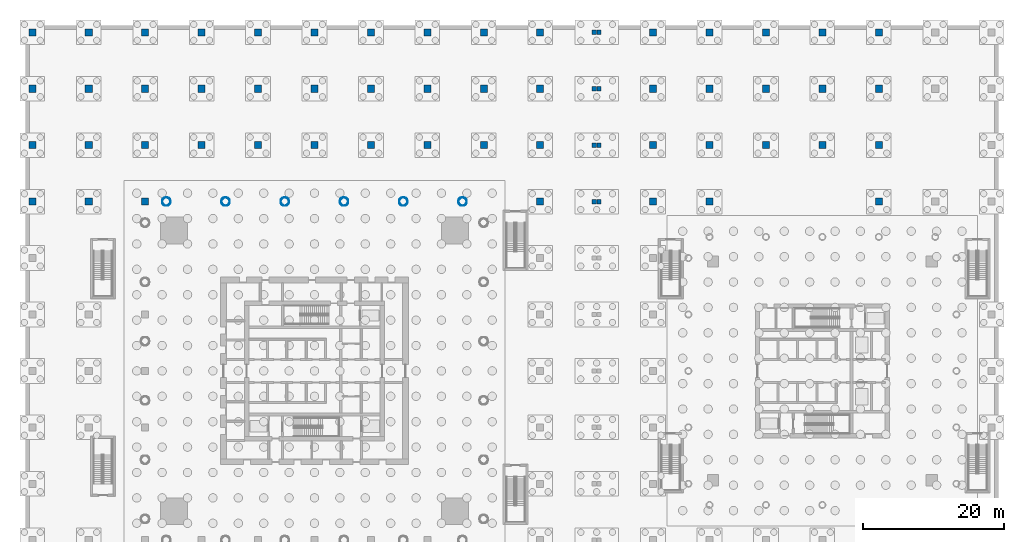
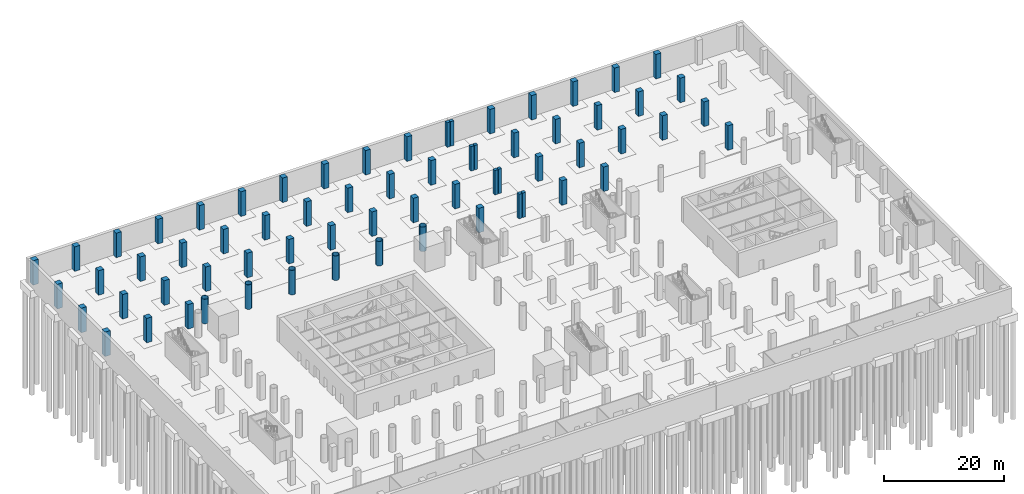
# One storey, part 7 of 24: 66 columns.
"""IFC4 building model written with IfcOpenShell, lengths in metres."""

from ifc_helpers import new_model, si_unit, direction, frame, origin, origin_2d, place, context, subcontext, project, spatial, rectangle, hollow_circle, extrude, material, material_profile, profile_set, type_object, element, save


model = new_model("IFC4")

# Units and contexts
model_context = context("Model", 3, precision=1e-05, world=origin(), true_north=direction((0.0, 1.0)))
body_context = subcontext(model_context, "Body", "Model", "MODEL_VIEW")
ifc_project = project(units=[si_unit("LENGTHUNIT", "METRE"), si_unit("AREAUNIT", "SQUARE_METRE"), si_unit("VOLUMEUNIT", "CUBIC_METRE"), si_unit("PLANEANGLEUNIT", "RADIAN"), si_unit("MASSUNIT", "GRAM", prefix="KILO")], contexts=[model_context])

# Site, building, storey
site_placement = place(None, origin())
site = spatial("IfcSite", under=ifc_project, at=site_placement, CompositionType="ELEMENT")
building_placement = place(site_placement, origin())
building = spatial("IfcBuilding", under=site, at=building_placement, Name="Ostroluk Exchange", CompositionType="ELEMENT")
storey_placement = place(building_placement, frame((0.0, 0.0, -10.0)))
storey = spatial("IfcBuildingStorey", under=building, at=storey_placement, Name="B2", CompositionType="ELEMENT", Elevation=-10.0)

# Columns
ifc_material_1 = material(Name="Steel S460", Category="steel")
ifc_material_profile_1 = material_profile(ifc_material_1, hollow_circle(Radius=0.609619140625, WallThickness=0.0400390625, at=origin_2d()), Name="CHS 1219x40")
ifc_profile_set_1 = profile_set([ifc_material_profile_1], Name="Steel S460")
column_type_1 = type_object("IfcColumnType", Name="Perimeter column CHS 1219x40", PredefinedType="COLUMN", material=ifc_profile_set_1)
for number, where, z_axis, x_axis, name in (
    (1, (66.0, 70.0, 0.0), (0.0, 0.0, 1.0), (1.0, 0.0, 0.0), "T1 north face column E0"),
    (2, (24.0, 70.0, 0.0), (0.0, 0.0, 1.0), (1.0, 0.0, 0.0), "T1 north face column E1"),
    (3, (57.60009765625, 70.0, 0.0), (0.0, 0.0, 1.0), (1.0, 0.0, 0.0), "T1 north face column I1"),
    (4, (49.199951171875, 70.0, 0.0), (0.0, 0.0, 1.0), (1.0, 0.0, 0.0), "T1 north face column I2"),
    (5, (40.800048828125, 70.0, 0.0), (0.0, 0.0, 1.0), (1.0, 0.0, 0.0), "T1 north face column I3"),
    (6, (32.39990234375, 70.0, 0.0), (0.0, 0.0, 1.0), (1.0, 0.0, 0.0), "T1 north face column I4"),
):
    element("IfcColumn", number, at=place(storey_placement, frame(where, z_axis=z_axis, x_axis=x_axis)), inside=storey, type_object=column_type_1, Name=name, PredefinedType="COLUMN", context=body_context, shape_type="SweptSolid", body=[
        extrude(hollow_circle(Radius=0.609619140625, WallThickness=0.0400390625, at=origin_2d()), origin(), (0.0, 0.0, 1.0), 5.0),
    ])
ifc_material_2 = material(Name="Concrete C50/60", Category="concrete")
ifc_material_profile_2 = material_profile(ifc_material_2, rectangle(XDim=1.0, YDim=1.0, at=origin_2d()), Name="RC 1000x1000")
ifc_profile_set_2 = profile_set([ifc_material_profile_2], Name="Concrete C50/60")
column_type_2 = type_object("IfcColumnType", Name="Podium column RC 1000x1000", PredefinedType="COLUMN", material=ifc_profile_set_2)
for number, where, z_axis, x_axis, name in (
    (7, (5.0, 70.0, 0.0), (0.0, 0.0, 1.0), (1.0, 0.0, 0.0), "Podium column 5/70"),
    (8, (5.0, 78.0, 0.0), (0.0, 0.0, 1.0), (1.0, 0.0, 0.0), "Podium column 5/78"),
    (9, (5.0, 86.0, 0.0), (0.0, 0.0, 1.0), (1.0, 0.0, 0.0), "Podium column 5/86"),
    (10, (5.0, 94.0, 0.0), (0.0, 0.0, 1.0), (1.0, 0.0, 0.0), "Podium column 5/94"),
    (11, (13.0, 70.0, 0.0), (0.0, 0.0, 1.0), (1.0, 0.0, 0.0), "Podium column 13/70"),
    (12, (13.0, 78.0, 0.0), (0.0, 0.0, 1.0), (1.0, 0.0, 0.0), "Podium column 13/78"),
    (13, (13.0, 86.0, 0.0), (0.0, 0.0, 1.0), (1.0, 0.0, 0.0), "Podium column 13/86"),
    (14, (13.0, 94.0, 0.0), (0.0, 0.0, 1.0), (1.0, 0.0, 0.0), "Podium column 13/94"),
    (15, (21.0, 78.0, 0.0), (0.0, 0.0, 1.0), (1.0, 0.0, 0.0), "Podium column 21/78"),
    (16, (21.0, 86.0, 0.0), (0.0, 0.0, 1.0), (1.0, 0.0, 0.0), "Podium column 21/86"),
    (17, (21.0, 94.0, 0.0), (0.0, 0.0, 1.0), (1.0, 0.0, 0.0), "Podium column 21/94"),
    (18, (29.0, 78.0, 0.0), (0.0, 0.0, 1.0), (1.0, 0.0, 0.0), "Podium column 29/78"),
    (19, (29.0, 86.0, 0.0), (0.0, 0.0, 1.0), (1.0, 0.0, 0.0), "Podium column 29/86"),
    (20, (29.0, 94.0, 0.0), (0.0, 0.0, 1.0), (1.0, 0.0, 0.0), "Podium column 29/94"),
    (21, (37.0, 78.0, 0.0), (0.0, 0.0, 1.0), (1.0, 0.0, 0.0), "Podium column 37/78"),
    (22, (37.0, 86.0, 0.0), (0.0, 0.0, 1.0), (1.0, 0.0, 0.0), "Podium column 37/86"),
    (23, (37.0, 94.0, 0.0), (0.0, 0.0, 1.0), (1.0, 0.0, 0.0), "Podium column 37/94"),
    (24, (45.0, 78.0, 0.0), (0.0, 0.0, 1.0), (1.0, 0.0, 0.0), "Podium column 45/78"),
    (25, (45.0, 86.0, 0.0), (0.0, 0.0, 1.0), (1.0, 0.0, 0.0), "Podium column 45/86"),
    (26, (45.0, 94.0, 0.0), (0.0, 0.0, 1.0), (1.0, 0.0, 0.0), "Podium column 45/94"),
    (27, (53.0, 78.0, 0.0), (0.0, 0.0, 1.0), (1.0, 0.0, 0.0), "Podium column 53/78"),
    (28, (53.0, 86.0, 0.0), (0.0, 0.0, 1.0), (1.0, 0.0, 0.0), "Podium column 53/86"),
    (29, (53.0, 94.0, 0.0), (0.0, 0.0, 1.0), (1.0, 0.0, 0.0), "Podium column 53/94"),
    (30, (61.0, 78.0, 0.0), (0.0, 0.0, 1.0), (1.0, 0.0, 0.0), "Podium column 61/78"),
    (31, (61.0, 86.0, 0.0), (0.0, 0.0, 1.0), (1.0, 0.0, 0.0), "Podium column 61/86"),
    (32, (61.0, 94.0, 0.0), (0.0, 0.0, 1.0), (1.0, 0.0, 0.0), "Podium column 61/94"),
    (33, (69.0, 78.0, 0.0), (0.0, 0.0, 1.0), (1.0, 0.0, 0.0), "Podium column 69/78"),
    (34, (69.0, 86.0, 0.0), (0.0, 0.0, 1.0), (1.0, 0.0, 0.0), "Podium column 69/86"),
    (35, (69.0, 94.0, 0.0), (0.0, 0.0, 1.0), (1.0, 0.0, 0.0), "Podium column 69/94"),
    (36, (77.0, 70.0, 0.0), (0.0, 0.0, 1.0), (1.0, 0.0, 0.0), "Podium column 77/70"),
    (37, (77.0, 78.0, 0.0), (0.0, 0.0, 1.0), (1.0, 0.0, 0.0), "Podium column 77/78"),
    (38, (77.0, 86.0, 0.0), (0.0, 0.0, 1.0), (1.0, 0.0, 0.0), "Podium column 77/86"),
    (39, (77.0, 94.0, 0.0), (0.0, 0.0, 1.0), (1.0, 0.0, 0.0), "Podium column 77/94"),
    (40, (93.0, 70.0, 0.0), (0.0, 0.0, 1.0), (1.0, 0.0, 0.0), "Podium column 93/70"),
    (41, (93.0, 78.0, 0.0), (0.0, 0.0, 1.0), (1.0, 0.0, 0.0), "Podium column 93/78"),
    (42, (93.0, 86.0, 0.0), (0.0, 0.0, 1.0), (1.0, 0.0, 0.0), "Podium column 93/86"),
    (43, (93.0, 94.0, 0.0), (0.0, 0.0, 1.0), (1.0, 0.0, 0.0), "Podium column 93/94"),
    (44, (101.0, 70.0, 0.0), (0.0, 0.0, 1.0), (1.0, 0.0, 0.0), "Podium column 101/70"),
    (45, (101.0, 78.0, 0.0), (0.0, 0.0, 1.0), (1.0, 0.0, 0.0), "Podium column 101/78"),
    (46, (101.0, 86.0, 0.0), (0.0, 0.0, 1.0), (1.0, 0.0, 0.0), "Podium column 101/86"),
    (47, (101.0, 94.0, 0.0), (0.0, 0.0, 1.0), (1.0, 0.0, 0.0), "Podium column 101/94"),
    (48, (109.0, 78.0, 0.0), (0.0, 0.0, 1.0), (1.0, 0.0, 0.0), "Podium column 109/78"),
    (49, (109.0, 86.0, 0.0), (0.0, 0.0, 1.0), (1.0, 0.0, 0.0), "Podium column 109/86"),
    (50, (109.0, 94.0, 0.0), (0.0, 0.0, 1.0), (1.0, 0.0, 0.0), "Podium column 109/94"),
    (51, (117.0, 78.0, 0.0), (0.0, 0.0, 1.0), (1.0, 0.0, 0.0), "Podium column 117/78"),
    (52, (117.0, 86.0, 0.0), (0.0, 0.0, 1.0), (1.0, 0.0, 0.0), "Podium column 117/86"),
    (53, (117.0, 94.0, 0.0), (0.0, 0.0, 1.0), (1.0, 0.0, 0.0), "Podium column 117/94"),
    (54, (125.0, 70.0, 0.0), (0.0, 0.0, 1.0), (1.0, 0.0, 0.0), "Podium column 125/70"),
    (55, (125.0, 78.0, 0.0), (0.0, 0.0, 1.0), (1.0, 0.0, 0.0), "Podium column 125/78"),
    (56, (125.0, 86.0, 0.0), (0.0, 0.0, 1.0), (1.0, 0.0, 0.0), "Podium column 125/86"),
    (57, (125.0, 94.0, 0.0), (0.0, 0.0, 1.0), (1.0, 0.0, 0.0), "Podium column 125/94"),
    (58, (21.0, 70.0, 0.0), (0.0, 0.0, 1.0), (1.0, 0.0, 0.0), "Podium column 21/70"),
):
    element("IfcColumn", number, at=place(storey_placement, frame(where, z_axis=z_axis, x_axis=x_axis)), inside=storey, type_object=column_type_2, Name=name, PredefinedType="COLUMN", context=body_context, shape_type="SweptSolid", body=[
        extrude(rectangle(XDim=1.0, YDim=1.0, at=origin_2d()), origin(), (0.0, 0.0, 1.0), 5.0),
    ])
ifc_material_3 = material(Name="Concrete C50/60", Category="concrete")
ifc_material_profile_3 = material_profile(ifc_material_3, rectangle(XDim=0.60009765625, YDim=0.60009765625, at=origin_2d()), Name="RC 600x600")
ifc_profile_set_3 = profile_set([ifc_material_profile_3], Name="Concrete C50/60")
column_type_3 = type_object("IfcColumnType", Name="Podium column RC 600x600", PredefinedType="COLUMN", material=ifc_profile_set_3)
for number, where, z_axis, x_axis, name in (
    (59, (84.64990234375, 70.0, 0.0), (0.0, 0.0, 1.0), (1.0, 0.0, 0.0), "Podium column 85W/70"),
    (60, (85.35009765625, 70.0, 0.0), (0.0, 0.0, 1.0), (1.0, 0.0, 0.0), "Podium column 85E/70"),
    (61, (84.64990234375, 78.0, 0.0), (0.0, 0.0, 1.0), (1.0, 0.0, 0.0), "Podium column 85W/78"),
    (62, (85.35009765625, 78.0, 0.0), (0.0, 0.0, 1.0), (1.0, 0.0, 0.0), "Podium column 85E/78"),
    (63, (84.64990234375, 86.0, 0.0), (0.0, 0.0, 1.0), (1.0, 0.0, 0.0), "Podium column 85W/86"),
    (64, (85.35009765625, 86.0, 0.0), (0.0, 0.0, 1.0), (1.0, 0.0, 0.0), "Podium column 85E/86"),
    (65, (84.64990234375, 94.0, 0.0), (0.0, 0.0, 1.0), (1.0, 0.0, 0.0), "Podium column 85W/94"),
    (66, (85.35009765625, 94.0, 0.0), (0.0, 0.0, 1.0), (1.0, 0.0, 0.0), "Podium column 85E/94"),
):
    element("IfcColumn", number, at=place(storey_placement, frame(where, z_axis=z_axis, x_axis=x_axis)), inside=storey, type_object=column_type_3, Name=name, PredefinedType="COLUMN", context=body_context, shape_type="SweptSolid", body=[
        extrude(rectangle(XDim=0.60009765625, YDim=0.60009765625, at=origin_2d()), origin(), (0.0, 0.0, 1.0), 5.0),
    ])

save(model, "model.ifc")
